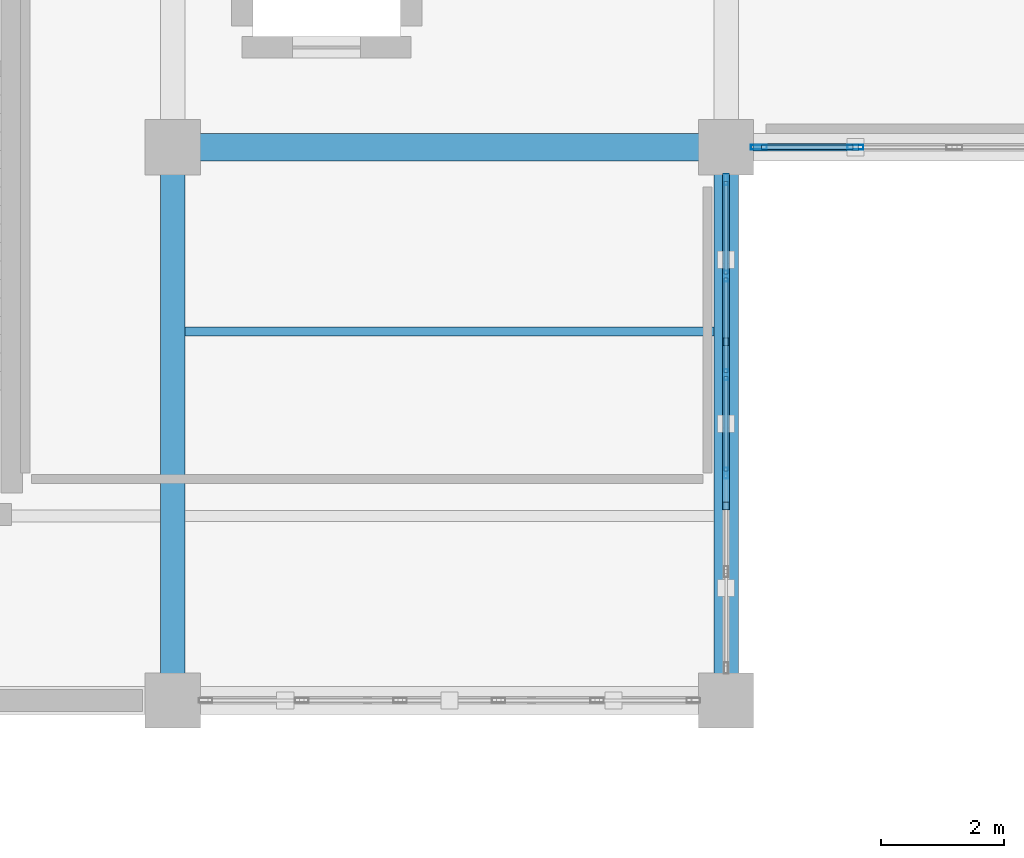
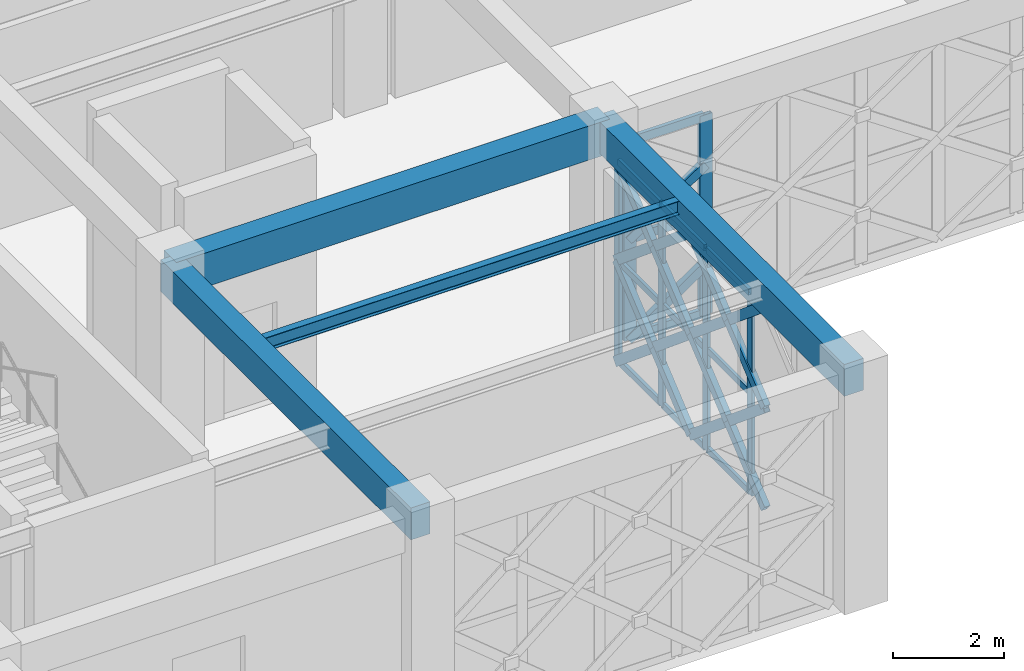
# One storey, part 101 of 166: 32 members, 4 beams, 2 elements without a shape of their own.
"""IFC4 building model written with IfcOpenShell, lengths in metres."""

from ifc_helpers import new_model, si_unit, direction, frame, origin, origin_2d, place, context, subcontext, project, spatial, rectangle, hollow_rectangle, i_section, extrude, material, material_profile, profile_set, type_object, element, aggregate, save


model = new_model("IFC4")

# Units and contexts
model_context = context("Model", 3, precision=1e-05, world=origin(), true_north=direction((0.0, 1.0)))
body_context = subcontext(model_context, "Body", "Model", "MODEL_VIEW")
ifc_project = project(units=[si_unit("LENGTHUNIT", "METRE"), si_unit("AREAUNIT", "SQUARE_METRE"), si_unit("VOLUMEUNIT", "CUBIC_METRE"), si_unit("PLANEANGLEUNIT", "RADIAN"), si_unit("MASSUNIT", "GRAM", prefix="KILO")], contexts=[model_context])

# Site, building, storey
site_placement = place(None, origin())
site = spatial("IfcSite", under=ifc_project, at=site_placement, CompositionType="ELEMENT")
building_placement = place(site_placement, origin())
building = spatial("IfcBuilding", under=site, at=building_placement, Name="Haizhuo Lancet Aquarium", CompositionType="ELEMENT")
storey_placement = place(building_placement, frame((0.0, 0.0, 5.39990234375)))
storey = spatial("IfcBuildingStorey", under=building, at=storey_placement, Name="L01", CompositionType="ELEMENT", Elevation=5.39990234375)

# Beams
ifc_material_1 = material(Name="Concrete C40/50", Category="concrete")
ifc_material_profile_1 = material_profile(ifc_material_1, rectangle(XDim=0.39990234375, YDim=0.699951171875, at=origin_2d()), Name="RC-BM 400x700")
ifc_profile_set_1 = profile_set([ifc_material_profile_1], Name="Concrete C40/50")
beam_type_1 = type_object("IfcBeamType", Name="BM-RC-400x700", PredefinedType="BEAM", material=ifc_profile_set_1)
for number, where, z_axis, x_axis, name in (
    (1, (63.0, -27.0, 4.7900390625), (0.0, 1.0, 0.0), (-1.0, 0.0, 0.0), "L01 V3 primary girder BM-L01-V3-022"),
    (2, (72.0, -27.0, 4.7900390625), (0.0, 1.0, 0.0), (-1.0, 0.0, 0.0), "L01 V3 primary girder BM-L01-V3-027"),
):
    element("IfcBeam", number, at=place(storey_placement, frame(where, z_axis=z_axis, x_axis=x_axis)), inside=storey, type_object=beam_type_1, Name=name, PredefinedType="BEAM", context=body_context, shape_type="SweptSolid", body=[
        extrude(rectangle(XDim=0.39990234375, YDim=0.699951171875, at=origin_2d()), origin(), (0.0, 0.0, 1.0), 9.0),
    ])
ifc_material_profile_2 = material_profile(ifc_material_1, rectangle(XDim=0.449951171875, YDim=0.75, at=origin_2d()), Name="RC-BM 450x750")
ifc_profile_set_2 = profile_set([ifc_material_profile_2], Name="Concrete C40/50")
beam_type_2 = type_object("IfcBeamType", Name="BM-RC-450x750", PredefinedType="BEAM", material=ifc_profile_set_2)
beam_1_placement = place(storey_placement, frame((63.0, -18.0, 4.76513671875), z_axis=(1.0, 0.0, 0.0), x_axis=(0.0, 1.0, 0.0)))
element("IfcBeam", 3, at=beam_1_placement, inside=storey, type_object=beam_type_2, Name="L01 V3 primary girder BM-L01-V3-025", PredefinedType="BEAM", context=body_context, shape_type="SweptSolid", body=[
    extrude(rectangle(XDim=0.449951171875, YDim=0.75, at=origin_2d()), origin(), (0.0, 0.0, 1.0), 9.0),
])

# Curtain wall, members
ifc_material_2 = material(Name="Aluminium 6063-T6", Category="aluminium")
curtain_wall_type_1 = type_object("IfcCurtainWallType", Name="CWO-8010x4440", PredefinedType="NOTDEFINED", material=ifc_material_2)
curtain_wall_1_placement = place(storey_placement, origin())
curtain_wall_1 = element("IfcCurtainWall", 4, at=curtain_wall_1_placement, inside=storey, type_object=curtain_wall_type_1, Name="L01 curtain wall CW-V3-L01-043", PredefinedType="NOTDEFINED")
ifc_material_profile_3 = material_profile(ifc_material_2, hollow_rectangle(XDim=0.06494140625, YDim=0.179931640625, WallThickness=0.00390625, at=origin_2d()), Name="ALU-M 65x180x4")
ifc_profile_set_3 = profile_set([ifc_material_profile_3], Name="Aluminium 6063-T6")
member_type_1 = type_object("IfcMemberType", Name="CW-MUL-1", PredefinedType="MULLION", material=ifc_profile_set_3)
member_1_placement = place(storey_placement, frame((72.0, -18.527099609375, 0.0), z_axis=(0.0, 0.0, 1.0), x_axis=(1.0, 0.0, 0.0)))
member_1 = element("IfcMember", 5, at=member_1_placement, type_object=member_type_1, Name="CWO-80x44 mullion 1", PredefinedType="MULLION", context=body_context, shape_type="SweptSolid", body=[
    extrude(hollow_rectangle(XDim=0.06494140625, YDim=0.179931640625, WallThickness=0.00390625, at=origin_2d()), origin(), (0.0, 0.0, 1.0), 4.440185546875),
])
member_2_placement = place(storey_placement, frame((72.0, -20.096923828125, 0.0), z_axis=(0.0, 0.0, 1.0), x_axis=(1.0, 0.0, 0.0)))
member_2 = element("IfcMember", 6, at=member_2_placement, type_object=member_type_1, Name="CWO-80x44 mullion 2", PredefinedType="MULLION", context=body_context, shape_type="SweptSolid", body=[
    extrude(hollow_rectangle(XDim=0.06494140625, YDim=0.179931640625, WallThickness=0.00390625, at=origin_2d()), origin(), (0.0, 0.0, 1.0), 4.440185546875),
])
member_3_placement = place(storey_placement, frame((72.0, -21.698974609375, 0.0), z_axis=(0.0, 0.0, 1.0), x_axis=(1.0, 0.0, 0.0)))
member_3 = element("IfcMember", 7, at=member_3_placement, type_object=member_type_1, Name="CWO-80x44 mullion 3", PredefinedType="MULLION", context=body_context, shape_type="SweptSolid", body=[
    extrude(hollow_rectangle(XDim=0.06494140625, YDim=0.179931640625, WallThickness=0.00390625, at=origin_2d()), origin(), (0.0, 0.0, 1.0), 4.440185546875),
])
member_4_placement = place(storey_placement, frame((72.0, -23.301025390625, 0.0), z_axis=(0.0, 0.0, 1.0), x_axis=(1.0, 0.0, 0.0)))
member_4 = element("IfcMember", 8, at=member_4_placement, type_object=member_type_1, Name="CWO-80x44 mullion 4", PredefinedType="MULLION", context=body_context, shape_type="SweptSolid", body=[
    extrude(hollow_rectangle(XDim=0.06494140625, YDim=0.179931640625, WallThickness=0.00390625, at=origin_2d()), origin(), (0.0, 0.0, 1.0), 4.440185546875),
])

curtain_wall_type_2 = type_object("IfcCurtainWallType", Name="CWO-9660x4390", PredefinedType="NOTDEFINED", material=ifc_material_2)
curtain_wall_2_placement = place(storey_placement, origin())
curtain_wall_2 = element("IfcCurtainWall", 9, at=curtain_wall_2_placement, inside=storey, type_object=curtain_wall_type_2, Name="L01 curtain wall CW-V3-L01-042", PredefinedType="NOTDEFINED")
ifc_material_profile_4 = material_profile(ifc_material_2, hollow_rectangle(XDim=0.080078125, YDim=0.260009765625, WallThickness=0.0048828125, at=origin_2d()), Name="ALU-M 80x260x5")
ifc_profile_set_4 = profile_set([ifc_material_profile_4], Name="Aluminium 6063-T6")
member_type_2 = type_object("IfcMemberType", Name="CW-MUL-3", PredefinedType="MULLION", material=ifc_profile_set_4)
member_5_placement = place(storey_placement, frame((74.10498046875, -18.0, 0.0), z_axis=(0.0, 0.0, 1.0), x_axis=(0.0, -1.0, 0.0)))
member_5 = element("IfcMember", 10, at=member_5_placement, type_object=member_type_2, Name="CWO-96x43 mullion 6", PredefinedType="MULLION", context=body_context, shape_type="SweptSolid", body=[
    extrude(hollow_rectangle(XDim=0.080078125, YDim=0.260009765625, WallThickness=0.0048828125, at=origin_2d()), origin(), (0.0, 0.0, 1.0), 4.39013671875),
])
member_6_placement = place(storey_placement, frame((72.534912109375, -18.0, 0.0), z_axis=(0.0, 0.0, 1.0), x_axis=(0.0, -1.0, 0.0)))
member_6 = element("IfcMember", 11, at=member_6_placement, type_object=member_type_2, Name="CWO-96x43 mullion 7", PredefinedType="MULLION", context=body_context, shape_type="SweptSolid", body=[
    extrude(hollow_rectangle(XDim=0.080078125, YDim=0.260009765625, WallThickness=0.0048828125, at=origin_2d()), origin(), (0.0, 0.0, 1.0), 4.39013671875),
])

# Member
ifc_material_profile_5 = material_profile(ifc_material_2, hollow_rectangle(XDim=0.06494140625, YDim=0.139892578125, WallThickness=0.00390625, at=origin_2d()), Name="ALU-T 65x140x4")
ifc_profile_set_5 = profile_set([ifc_material_profile_5], Name="Aluminium 6063-T6")
member_type_3 = type_object("IfcMemberType", Name="CW-TRN-1", PredefinedType="NOTDEFINED", material=ifc_profile_set_5)
member_7_placement = place(storey_placement, frame((72.0, -18.56005859375, 0.033203125), z_axis=(0.0, -1.0, 0.0), x_axis=(1.0, 0.0, 0.0)))
member_7 = element("IfcMember", 12, at=member_7_placement, type_object=member_type_3, Name="CWO-80x44 transom 1.1", ObjectType="TRANSOM", PredefinedType="USERDEFINED", context=body_context, shape_type="SweptSolid", body=[
    extrude(hollow_rectangle(XDim=0.06494140625, YDim=0.139892578125, WallThickness=0.00390625, at=origin_2d()), origin(), (0.0, 0.0, 1.0), 1.5048828125),
])

member_8_placement = place(storey_placement, frame((72.0, -18.56005859375, 2.22021484375), z_axis=(0.0, -1.0, 0.0), x_axis=(1.0, 0.0, 0.0)))
member_8 = element("IfcMember", 13, at=member_8_placement, type_object=member_type_3, Name="CWO-80x44 transom 1.2", ObjectType="TRANSOM", PredefinedType="USERDEFINED", context=body_context, shape_type="SweptSolid", body=[
    extrude(hollow_rectangle(XDim=0.06494140625, YDim=0.139892578125, WallThickness=0.00390625, at=origin_2d()), origin(), (0.0, 0.0, 1.0), 1.5048828125),
])

member_9_placement = place(storey_placement, frame((72.0, -18.56005859375, 4.406982421875), z_axis=(0.0, -1.0, 0.0), x_axis=(1.0, 0.0, 0.0)))
member_9 = element("IfcMember", 14, at=member_9_placement, type_object=member_type_3, Name="CWO-80x44 transom 1.3", ObjectType="TRANSOM", PredefinedType="USERDEFINED", context=body_context, shape_type="SweptSolid", body=[
    extrude(hollow_rectangle(XDim=0.06494140625, YDim=0.139892578125, WallThickness=0.00390625, at=origin_2d()), origin(), (0.0, 0.0, 1.0), 1.5048828125),
])

member_10_placement = place(storey_placement, frame((72.0, -20.1298828125, 0.033203125), z_axis=(0.0, -1.0, 0.0), x_axis=(1.0, 0.0, 0.0)))
member_10 = element("IfcMember", 15, at=member_10_placement, type_object=member_type_3, Name="CWO-80x44 transom 2.1", ObjectType="TRANSOM", PredefinedType="USERDEFINED", context=body_context, shape_type="SweptSolid", body=[
    extrude(hollow_rectangle(XDim=0.06494140625, YDim=0.139892578125, WallThickness=0.00390625, at=origin_2d()), origin(), (0.0, 0.0, 1.0), 1.5361328125),
])

member_11_placement = place(storey_placement, frame((72.0, -20.1298828125, 2.22021484375), z_axis=(0.0, -1.0, 0.0), x_axis=(1.0, 0.0, 0.0)))
member_11 = element("IfcMember", 16, at=member_11_placement, type_object=member_type_3, Name="CWO-80x44 transom 2.2", ObjectType="TRANSOM", PredefinedType="USERDEFINED", context=body_context, shape_type="SweptSolid", body=[
    extrude(hollow_rectangle(XDim=0.06494140625, YDim=0.139892578125, WallThickness=0.00390625, at=origin_2d()), origin(), (0.0, 0.0, 1.0), 1.5361328125),
])

member_12_placement = place(storey_placement, frame((72.0, -20.1298828125, 4.406982421875), z_axis=(0.0, -1.0, 0.0), x_axis=(1.0, 0.0, 0.0)))
member_12 = element("IfcMember", 17, at=member_12_placement, type_object=member_type_3, Name="CWO-80x44 transom 2.3", ObjectType="TRANSOM", PredefinedType="USERDEFINED", context=body_context, shape_type="SweptSolid", body=[
    extrude(hollow_rectangle(XDim=0.06494140625, YDim=0.139892578125, WallThickness=0.00390625, at=origin_2d()), origin(), (0.0, 0.0, 1.0), 1.5361328125),
])

member_13_placement = place(storey_placement, frame((72.0, -21.73193359375, 0.033203125), z_axis=(0.0, -1.0, 0.0), x_axis=(1.0, 0.0, 0.0)))
member_13 = element("IfcMember", 18, at=member_13_placement, type_object=member_type_3, Name="CWO-80x44 transom 3.1", ObjectType="TRANSOM", PredefinedType="USERDEFINED", context=body_context, shape_type="SweptSolid", body=[
    extrude(hollow_rectangle(XDim=0.06494140625, YDim=0.139892578125, WallThickness=0.00390625, at=origin_2d()), origin(), (0.0, 0.0, 1.0), 1.5361328125),
])

member_14_placement = place(storey_placement, frame((72.0, -21.73193359375, 2.22021484375), z_axis=(0.0, -1.0, 0.0), x_axis=(1.0, 0.0, 0.0)))
member_14 = element("IfcMember", 19, at=member_14_placement, type_object=member_type_3, Name="CWO-80x44 transom 3.2", ObjectType="TRANSOM", PredefinedType="USERDEFINED", context=body_context, shape_type="SweptSolid", body=[
    extrude(hollow_rectangle(XDim=0.06494140625, YDim=0.139892578125, WallThickness=0.00390625, at=origin_2d()), origin(), (0.0, 0.0, 1.0), 1.5361328125),
])

member_15_placement = place(storey_placement, frame((72.0, -21.73193359375, 4.406982421875), z_axis=(0.0, -1.0, 0.0), x_axis=(1.0, 0.0, 0.0)))
member_15 = element("IfcMember", 20, at=member_15_placement, type_object=member_type_3, Name="CWO-80x44 transom 3.3", ObjectType="TRANSOM", PredefinedType="USERDEFINED", context=body_context, shape_type="SweptSolid", body=[
    extrude(hollow_rectangle(XDim=0.06494140625, YDim=0.139892578125, WallThickness=0.00390625, at=origin_2d()), origin(), (0.0, 0.0, 1.0), 1.5361328125),
])

aggregate(curtain_wall_1, [member_1, member_2, member_3, member_4, member_7, member_8, member_9, member_10, member_11, member_12, member_13, member_14, member_15])

ifc_material_profile_6 = material_profile(ifc_material_2, hollow_rectangle(XDim=0.080078125, YDim=0.18994140625, WallThickness=0.0048828125, at=origin_2d()), Name="ALU-T 80x190x5")
ifc_profile_set_6 = profile_set([ifc_material_profile_6], Name="Aluminium 6063-T6")
member_type_4 = type_object("IfcMemberType", Name="CW-TRN-3", PredefinedType="NOTDEFINED", material=ifc_profile_set_6)
member_16_placement = place(storey_placement, frame((74.06494140625, -18.0, 0.0400390625), z_axis=(-1.0, 0.0, 0.0), x_axis=(0.0, -1.0, 0.0)))
member_16 = element("IfcMember", 21, at=member_16_placement, type_object=member_type_4, Name="CWO-96x43 transom 6.1", ObjectType="TRANSOM", PredefinedType="USERDEFINED", context=body_context, shape_type="SweptSolid", body=[
    extrude(hollow_rectangle(XDim=0.080078125, YDim=0.18994140625, WallThickness=0.0048828125, at=origin_2d()), origin(), (0.0, 0.0, 1.0), 1.489990234375),
])

member_17_placement = place(storey_placement, frame((74.06494140625, -18.0, 2.195068359375), z_axis=(-1.0, 0.0, 0.0), x_axis=(0.0, -1.0, 0.0)))
member_17 = element("IfcMember", 22, at=member_17_placement, type_object=member_type_4, Name="CWO-96x43 transom 6.2", ObjectType="TRANSOM", PredefinedType="USERDEFINED", context=body_context, shape_type="SweptSolid", body=[
    extrude(hollow_rectangle(XDim=0.080078125, YDim=0.18994140625, WallThickness=0.0048828125, at=origin_2d()), origin(), (0.0, 0.0, 1.0), 1.489990234375),
])

member_18_placement = place(storey_placement, frame((74.06494140625, -18.0, 4.35009765625), z_axis=(-1.0, 0.0, 0.0), x_axis=(0.0, -1.0, 0.0)))
member_18 = element("IfcMember", 23, at=member_18_placement, type_object=member_type_4, Name="CWO-96x43 transom 6.3", ObjectType="TRANSOM", PredefinedType="USERDEFINED", context=body_context, shape_type="SweptSolid", body=[
    extrude(hollow_rectangle(XDim=0.080078125, YDim=0.18994140625, WallThickness=0.0048828125, at=origin_2d()), origin(), (0.0, 0.0, 1.0), 1.489990234375),
])

aggregate(curtain_wall_2, [member_5, member_6, member_16, member_17, member_18])

# Beam
ifc_material_3 = material(Name="Steel S355", Category="steel")
ifc_material_profile_7 = material_profile(ifc_material_3, i_section(OverallWidth=0.14990234375, OverallDepth=0.300048828125, WebThickness=0.006591796875, FlangeThickness=0.009033203125, FilletRadius=0.012939453125, at=origin_2d()), Name="HN 300x150x6.5x9")
ifc_profile_set_7 = profile_set([ifc_material_profile_7], Name="Steel S355")
beam_type_3 = type_object("IfcBeamType", Name="JST-ST-HN300", PredefinedType="JOIST", material=ifc_profile_set_7)
beam_2_placement = place(storey_placement, frame((63.199951171875, -21.0, 4.989990234375), z_axis=(1.0, 0.0, 0.0), x_axis=(0.0, 1.0, 0.0)))
element("IfcBeam", 24, at=beam_2_placement, inside=storey, type_object=beam_type_3, Name="L01 V3 secondary floor joist 12", PredefinedType="JOIST", context=body_context, shape_type="SweptSolid", body=[
    extrude(i_section(OverallWidth=0.14990234375, OverallDepth=0.300048828125, WebThickness=0.006591796875, FlangeThickness=0.009033203125, FilletRadius=0.012939453125, at=origin_2d()), origin(), (0.0, 0.0, 1.0), 8.60009765625),
])

# Members
ifc_material_profile_8 = material_profile(ifc_material_3, hollow_rectangle(XDim=0.1201171875, YDim=0.199951171875, WallThickness=0.008056640625, at=origin_2d()), Name="RHS 120x200x8")
ifc_profile_set_8 = profile_set([ifc_material_profile_8], Name="Steel S355")
member_type_5 = type_object("IfcMemberType", Name="MEM-LB-RHS120x200", PredefinedType="BRACE", material=ifc_profile_set_8)
member_19_placement = place(storey_placement, frame((72.4951171875, -18.0, 0.0), z_axis=(0.826105399408, 0.0, 0.563515633385), x_axis=(0.0, 1.0, 0.0)))
element("IfcMember", 25, at=member_19_placement, inside=storey, type_object=member_type_5, Name="Gothic lancet split diagonal brace CW-V3-L01-042 5B1", PredefinedType="BRACE", context=body_context, shape_type="SweptSolid", body=[
    extrude(hollow_rectangle(XDim=0.1201171875, YDim=0.199951171875, WallThickness=0.008056640625, at=origin_2d()), origin(), (0.0, 0.0, 1.0), 1.94873046875),
])
member_20_placement = place(storey_placement, frame((72.4951171875, -18.0, 2.195068359375), z_axis=(0.826396998658, 0.0, 0.563087915525), x_axis=(0.0, 1.0, 0.0)))
element("IfcMember", 26, at=member_20_placement, inside=storey, type_object=member_type_5, Name="Gothic lancet split diagonal brace CW-V3-L01-042 6B1", PredefinedType="BRACE", context=body_context, shape_type="SweptSolid", body=[
    extrude(hollow_rectangle(XDim=0.1201171875, YDim=0.199951171875, WallThickness=0.008056640625, at=origin_2d()), origin(), (0.0, 0.0, 1.0), 1.947998046875),
])
member_21_placement = place(storey_placement, frame((72.0, -18.4951171875, 0.0), z_axis=(0.0, -0.768889363983, 0.63938184675), x_axis=(1.0, 0.0, 0.0)))
element("IfcMember", 27, at=member_21_placement, inside=storey, type_object=member_type_5, Name="Gothic lancet continuous diagonal brace CW-V3-L01-043 1A", PredefinedType="BRACE", context=body_context, shape_type="SweptSolid", body=[
    extrude(hollow_rectangle(XDim=0.1201171875, YDim=0.199951171875, WallThickness=0.008056640625, at=origin_2d()), origin(), (0.0, 0.0, 1.0), 3.472412109375),
])
for number, where, z_axis, x_axis, name in (
    (28, (72.0, -21.1650390625, 0.0), (0.0, 0.768889363983, 0.63938184675), (-1.0, 0.0, 0.0), "Gothic lancet split diagonal brace CW-V3-L01-043 1B1"),
    (29, (72.0, -19.830078125, 1.110107421875), (0.0, 0.768889363983, 0.63938184675), (-1.0, 0.0, 0.0), "Gothic lancet split diagonal brace CW-V3-L01-043 1B2"),
):
    element("IfcMember", number, at=place(storey_placement, frame(where, z_axis=z_axis, x_axis=x_axis)), inside=storey, type_object=member_type_5, Name=name, PredefinedType="BRACE", context=body_context, shape_type="SweptSolid", body=[
        extrude(hollow_rectangle(XDim=0.1201171875, YDim=0.199951171875, WallThickness=0.008056640625, at=origin_2d()), origin(), (0.0, 0.0, 1.0), 1.736328125),
    ])
member_22_placement = place(storey_placement, frame((72.0, -18.4951171875, 2.22021484375), z_axis=(0.0, -0.768923928852, 0.639340278443), x_axis=(1.0, 0.0, 0.0)))
element("IfcMember", 30, at=member_22_placement, inside=storey, type_object=member_type_5, Name="Gothic lancet continuous diagonal brace CW-V3-L01-043 2A", PredefinedType="BRACE", context=body_context, shape_type="SweptSolid", body=[
    extrude(hollow_rectangle(XDim=0.1201171875, YDim=0.199951171875, WallThickness=0.008056640625, at=origin_2d()), origin(), (0.0, 0.0, 1.0), 3.47216796875),
])
member_23_placement = place(storey_placement, frame((72.0, -21.1650390625, 2.22021484375), z_axis=(0.0, 0.768958494581, 0.639298704529), x_axis=(-1.0, 0.0, 0.0)))
element("IfcMember", 31, at=member_23_placement, inside=storey, type_object=member_type_5, Name="Gothic lancet split diagonal brace CW-V3-L01-043 2B1", PredefinedType="BRACE", context=body_context, shape_type="SweptSolid", body=[
    extrude(hollow_rectangle(XDim=0.1201171875, YDim=0.199951171875, WallThickness=0.008056640625, at=origin_2d()), origin(), (0.0, 0.0, 1.0), 1.736083984375),
])
member_24_placement = place(storey_placement, frame((72.0, -19.830078125, 3.330078125), z_axis=(0.0, 0.768889363983, 0.63938184675), x_axis=(-1.0, 0.0, 0.0)))
element("IfcMember", 32, at=member_24_placement, inside=storey, type_object=member_type_5, Name="Gothic lancet split diagonal brace CW-V3-L01-043 2B2", PredefinedType="BRACE", context=body_context, shape_type="SweptSolid", body=[
    extrude(hollow_rectangle(XDim=0.1201171875, YDim=0.199951171875, WallThickness=0.008056640625, at=origin_2d()), origin(), (0.0, 0.0, 1.0), 1.736328125),
])
member_25_placement = place(storey_placement, frame((72.0, -21.1650390625, 0.0), z_axis=(0.0, -0.768889363983, 0.63938184675), x_axis=(1.0, 0.0, 0.0)))
element("IfcMember", 33, at=member_25_placement, inside=storey, type_object=member_type_5, Name="Gothic lancet continuous diagonal brace CW-V3-L01-043 3A", PredefinedType="BRACE", context=body_context, shape_type="SweptSolid", body=[
    extrude(hollow_rectangle(XDim=0.1201171875, YDim=0.199951171875, WallThickness=0.008056640625, at=origin_2d()), origin(), (0.0, 0.0, 1.0), 3.472412109375),
])
for number, where, z_axis, x_axis, name in (
    (34, (72.0, -23.8349609375, 0.0), (0.0, 0.768889363983, 0.63938184675), (-1.0, 0.0, 0.0), "Gothic lancet split diagonal brace CW-V3-L01-043 3B1"),
    (35, (72.0, -22.5, 1.110107421875), (0.0, 0.768889363983, 0.63938184675), (-1.0, 0.0, 0.0), "Gothic lancet split diagonal brace CW-V3-L01-043 3B2"),
):
    element("IfcMember", number, at=place(storey_placement, frame(where, z_axis=z_axis, x_axis=x_axis)), inside=storey, type_object=member_type_5, Name=name, PredefinedType="BRACE", context=body_context, shape_type="SweptSolid", body=[
        extrude(hollow_rectangle(XDim=0.1201171875, YDim=0.199951171875, WallThickness=0.008056640625, at=origin_2d()), origin(), (0.0, 0.0, 1.0), 1.736328125),
    ])
member_26_placement = place(storey_placement, frame((72.0, -21.1650390625, 2.22021484375), z_axis=(0.0, -0.768923928852, 0.639340278443), x_axis=(1.0, 0.0, 0.0)))
element("IfcMember", 36, at=member_26_placement, inside=storey, type_object=member_type_5, Name="Gothic lancet continuous diagonal brace CW-V3-L01-043 4A", PredefinedType="BRACE", context=body_context, shape_type="SweptSolid", body=[
    extrude(hollow_rectangle(XDim=0.1201171875, YDim=0.199951171875, WallThickness=0.008056640625, at=origin_2d()), origin(), (0.0, 0.0, 1.0), 3.47216796875),
])
member_27_placement = place(storey_placement, frame((72.0, -23.8349609375, 2.22021484375), z_axis=(0.0, 0.768958494581, 0.639298704529), x_axis=(-1.0, 0.0, 0.0)))
element("IfcMember", 37, at=member_27_placement, inside=storey, type_object=member_type_5, Name="Gothic lancet split diagonal brace CW-V3-L01-043 4B1", PredefinedType="BRACE", context=body_context, shape_type="SweptSolid", body=[
    extrude(hollow_rectangle(XDim=0.1201171875, YDim=0.199951171875, WallThickness=0.008056640625, at=origin_2d()), origin(), (0.0, 0.0, 1.0), 1.736083984375),
])
member_28_placement = place(storey_placement, frame((72.0, -22.5, 3.330078125), z_axis=(0.0, 0.768889363983, 0.63938184675), x_axis=(-1.0, 0.0, 0.0)))
element("IfcMember", 38, at=member_28_placement, inside=storey, type_object=member_type_5, Name="Gothic lancet split diagonal brace CW-V3-L01-043 4B2", PredefinedType="BRACE", context=body_context, shape_type="SweptSolid", body=[
    extrude(hollow_rectangle(XDim=0.1201171875, YDim=0.199951171875, WallThickness=0.008056640625, at=origin_2d()), origin(), (0.0, 0.0, 1.0), 1.736328125),
])

save(model, "model.ifc")
